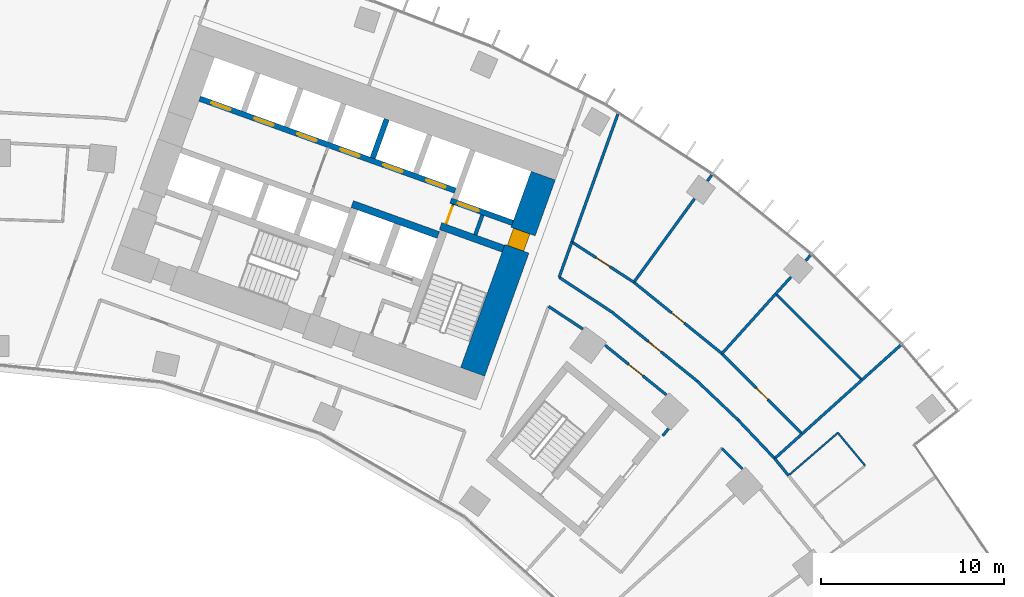
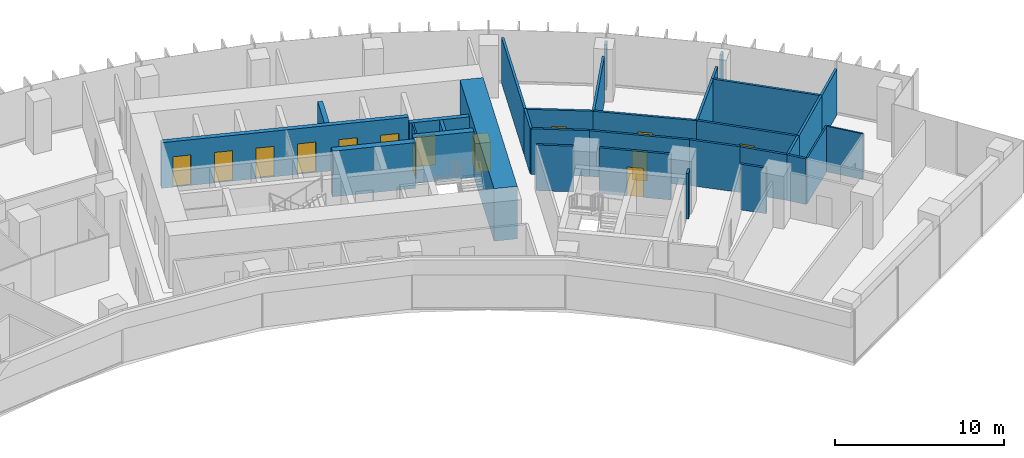
# One storey, part 19 of 22: 33 walls, 14 doors, 14 openings.
"""IFC4 building model written with IfcOpenShell, lengths in metres."""

from ifc_helpers import new_model, si_unit, direction, frame, frame_2d, origin, place, context, subcontext, project, spatial, rectangle, extrude, material, layer, layer_set, type_object, element, fill, save


model = new_model("IFC4")

# Units and contexts
model_context = context("Model", 3, precision=1e-05, world=origin(), true_north=direction((0.0, 1.0)))
body_context = subcontext(model_context, "Body", "Model", "MODEL_VIEW")
ifc_project = project(units=[si_unit("LENGTHUNIT", "METRE"), si_unit("AREAUNIT", "SQUARE_METRE"), si_unit("VOLUMEUNIT", "CUBIC_METRE"), si_unit("PLANEANGLEUNIT", "RADIAN"), si_unit("MASSUNIT", "GRAM", prefix="KILO")], contexts=[model_context])

# Site, building, storey
site_placement = place(None, origin())
site = spatial("IfcSite", under=ifc_project, at=site_placement, CompositionType="ELEMENT")
building_placement = place(site_placement, origin())
building = spatial("IfcBuilding", under=site, at=building_placement, Name="Stone Belt Terrace Tower", CompositionType="ELEMENT")
storey_placement = place(building_placement, frame((0.0, 0.0, 132.60009765625)))
storey = spatial("IfcBuildingStorey", under=building, at=storey_placement, Name="L32", CompositionType="ELEMENT", Elevation=132.60009765625)

# Wall, opening, door
ifc_material_1 = material(Name="Plasterboard partition")
ifc_layer_1 = layer(ifc_material_1, 0.10009765625)
ifc_layer_set_1 = layer_set([ifc_layer_1], Name="Core partition 100")
wall_type_1 = type_object("IfcWallType", Name="Core partition 100", PredefinedType="PARTITIONING", material=ifc_layer_set_1)
wall_1_placement = place(storey_placement, frame((24.555908203125, 51.10400390625, 0.0), z_axis=(0.0, 0.0, 1.0), x_axis=(0.338621735342, 0.94092258999, 0.0)))
wall_1 = element("IfcWall", 1, at=wall_1_placement, inside=storey, type_object=wall_type_1, Name="Core B wall", PredefinedType="PARTITIONING", context=body_context, shape_type="SweptSolid", body=[
    extrude(rectangle(XDim=1.14990234375, YDim=0.10009765625, at=frame_2d((0.574951171875, 0.0))), origin(), (0.0, 0.0, 1.0), 3.2998046875),
])
opening_1_placement = place(wall_1_placement, frame((0.050048828125, 0.0, 0.0)))
opening_1 = element("IfcOpeningElement", 2, at=opening_1_placement, cuts=wall_1, Name="Opening L32-C13", PredefinedType="OPENING", context=body_context, shape_type="SweptSolid", body=[
    extrude(rectangle(XDim=1.0, YDim=2.10009765625, at=frame_2d((0.5, 1.050048828125))), frame((0.0, 0.06005859375, 0.0), z_axis=(0.0, -1.0, 0.0), x_axis=(1.0, 0.0, 0.0)), (0.0, 0.0, 1.0), 0.1201171875),
])
ifc_material_2 = material(Name="Timber door leaf", Category="wood")
door_type_1 = type_object("IfcDoorType", Name="Core room door 1000", OperationType="SINGLE_SWING_LEFT", PredefinedType="DOOR", material=ifc_material_2)
door_1_placement = place(opening_1_placement, origin())
door_1 = element("IfcDoor", 3, at=door_1_placement, inside=storey, type_object=door_type_1, Name="Service lift lobby door core B", OperationType="SINGLE_SWING_LEFT", OverallHeight=2.10009765625, OverallWidth=1.0, PredefinedType="DOOR", context=body_context, shape_type="SweptSolid", body=[
    extrude(rectangle(XDim=1.0, YDim=2.10009765625, at=frame_2d((0.5, 1.050048828125))), frame((0.0, 0.02490234375, 0.0), z_axis=(0.0, -1.0, 0.0), x_axis=(1.0, 0.0, 0.0)), (0.0, 0.0, 1.0), 0.050048828125),
])
fill(opening_1, door_1)

ifc_material_3 = material(Name="Concrete B80", Category="concrete")
ifc_layer_2 = layer(ifc_material_3, 1.39990234375)
ifc_layer_set_2 = layer_set([ifc_layer_2], Name="Core wall 1400 B80")
wall_type_2 = type_object("IfcWallType", Name="Core wall 1400 B80", PredefinedType="SHEAR", material=ifc_layer_set_2)
wall_2_placement = place(storey_placement, frame((26.00927734375, 43.03515625, 0.0), z_axis=(0.0, 0.0, 1.0), x_axis=(0.338625431531, 0.940921259788, 0.0)))
wall_2 = element("IfcWall", 4, at=wall_2_placement, inside=storey, type_object=wall_type_2, Name="Core B wall end_b L32", PredefinedType="SHEAR", context=body_context, shape_type="SweptSolid", body=[
    extrude(rectangle(XDim=11.400146484375, YDim=1.39990234375, at=frame_2d((5.7001953125, 0.0))), origin(), (0.0, 0.0, 1.0), 3.7998046875),
])
opening_2_placement = place(wall_2_placement, frame((7.14990234375, 0.0, 0.0)))
opening_2 = element("IfcOpeningElement", 5, at=opening_2_placement, cuts=wall_2, Name="Opening L32-C12", PredefinedType="OPENING", context=body_context, shape_type="SweptSolid", body=[
    extrude(rectangle(XDim=1.0, YDim=2.10009765625, at=frame_2d((0.5, 1.050048828125))), frame((0.0, 0.7099609375, 0.0), z_axis=(0.0, -1.0, 0.0), x_axis=(1.0, 0.0, 0.0)), (0.0, 0.0, 1.0), 1.419921875),
])
door_2_placement = place(opening_2_placement, origin())
door_2 = element("IfcDoor", 6, at=door_2_placement, inside=storey, type_object=door_type_1, Name="Door to Telecommunications riser room core B", OperationType="SINGLE_SWING_RIGHT", OverallHeight=2.10009765625, OverallWidth=1.0, PredefinedType="DOOR", context=body_context, shape_type="SweptSolid", body=[
    extrude(rectangle(XDim=1.0, YDim=2.10009765625, at=frame_2d((0.5, 1.050048828125))), frame((0.0, 0.55517578125, 0.0), z_axis=(0.0, -1.0, 0.0), x_axis=(1.0, 0.0, 0.0)), (0.0, 0.0, 1.0), 0.949951171875),
])
fill(opening_2, door_2)

# Wall
ifc_layer_3 = layer(ifc_material_3, 0.39990234375)
ifc_layer_set_3 = layer_set([ifc_layer_3], Name="Fire-fighting lift shaft wall 400")
wall_type_3 = type_object("IfcWallType", Name="Fire-fighting lift shaft wall 400", PredefinedType="SHEAR", material=ifc_layer_set_3)
wall_3_placement = place(storey_placement, frame((24.130615234375, 50.512939453125, 0.0), z_axis=(0.0, 0.0, 1.0), x_axis=(-0.94091168377, 0.338652038744, 0.0)))
element("IfcWall", 7, at=wall_3_placement, inside=storey, type_object=wall_type_3, Name="Core B wall", PredefinedType="SHEAR", context=body_context, shape_type="SweptSolid", body=[
    extrude(rectangle(XDim=5.000244140625, YDim=0.39990234375, at=frame_2d((2.5, 0.0))), origin(), (0.0, 0.0, 1.0), 3.2998046875),
])

# Wall, opening, door
ifc_layer_4 = layer(ifc_material_3, 0.300048828125)
ifc_layer_set_4 = layer_set([ifc_layer_4], Name="Lift shaft wall 300")
wall_type_4 = type_object("IfcWallType", Name="Lift shaft wall 300", PredefinedType="SHEAR", material=ifc_layer_set_4)
wall_4_placement = place(storey_placement, frame((28.195068359375, 51.17578125, 0.0), z_axis=(0.0, 0.0, 1.0), x_axis=(-0.940901243567, 0.338681044427, 0.0)))
wall_4 = element("IfcWall", 8, at=wall_4_placement, inside=storey, type_object=wall_type_4, Name="Core B wall", PredefinedType="SHEAR", context=body_context, shape_type="SweptSolid", body=[
    extrude(rectangle(XDim=3.599853515625, YDim=0.300048828125, at=frame_2d((1.7998046875, 0.0))), origin(), (0.0, 0.0, 1.0), 3.2998046875),
])
opening_3_placement = place(wall_4_placement, frame((1.969970703125, 0.0, 0.0)))
opening_3 = element("IfcOpeningElement", 9, at=opening_3_placement, cuts=wall_4, Name="Opening L32-LD18", PredefinedType="OPENING", context=body_context, shape_type="SweptSolid", body=[
    extrude(rectangle(XDim=1.199951171875, YDim=2.199951171875, at=frame_2d((0.60009765625, 1.10009765625))), frame((0.0, 0.159912109375, 0.0), z_axis=(0.0, -1.0, 0.0), x_axis=(1.0, 0.0, 0.0)), (0.0, 0.0, 1.0), 0.320068359375),
])
ifc_material_4 = material(Name="Stainless steel door leaf", Category="steel")
door_type_2 = type_object("IfcDoorType", Name="Landing door 1200", OperationType="SLIDING_TO_LEFT", PredefinedType="DOOR", material=ifc_material_4)
door_3_placement = place(opening_3_placement, origin())
door_3 = element("IfcDoor", 10, at=door_3_placement, inside=storey, type_object=door_type_2, Name="Landing door SV1 core B", OperationType="SLIDING_TO_LEFT", OverallHeight=2.199951171875, OverallWidth=1.199951171875, PredefinedType="DOOR", context=body_context, shape_type="SweptSolid", body=[
    extrude(rectangle(XDim=1.199951171875, YDim=2.199951171875, at=frame_2d((0.60009765625, 1.10009765625))), frame((0.0, 0.02490234375, 0.0), z_axis=(0.0, -1.0, 0.0), x_axis=(1.0, 0.0, 0.0)), (0.0, 0.0, 1.0), 0.050048828125),
])
fill(opening_3, door_3)

# Wall, openings, doors
wall_5_placement = place(storey_placement, frame((25.05810546875, 52.9423828125, 0.0), z_axis=(0.0, 0.0, 1.0), x_axis=(-0.940918215764, 0.338633889685, 0.0)))
wall_5 = element("IfcWall", 11, at=wall_5_placement, inside=storey, type_object=wall_type_4, Name="Core B wall", PredefinedType="SHEAR", context=body_context, shape_type="SweptSolid", body=[
    extrude(rectangle(XDim=14.850341796875, YDim=0.300048828125, at=frame_2d((7.42529296875, 0.0))), origin(), (0.0, 0.0, 1.0), 3.2998046875),
])
opening_4_placement = place(wall_5_placement, frame((0.570068359375, 0.0, 0.0)))
opening_4 = element("IfcOpeningElement", 12, at=opening_4_placement, cuts=wall_5, Name="Opening L32-LD10", PredefinedType="OPENING", context=body_context, shape_type="SweptSolid", body=[
    extrude(rectangle(XDim=1.10009765625, YDim=2.199951171875, at=frame_2d((0.550048828125, 1.10009765625))), frame((0.0, 0.159912109375, 0.0), z_axis=(0.0, -1.0, 0.0), x_axis=(1.0, 0.0, 0.0)), (0.0, 0.0, 1.0), 0.320068359375),
])
opening_5_placement = place(wall_5_placement, frame((3.070068359375, 0.0, 0.0)))
opening_5 = element("IfcOpeningElement", 13, at=opening_5_placement, cuts=wall_5, Name="Opening L32-LD11", PredefinedType="OPENING", context=body_context, shape_type="SweptSolid", body=[
    extrude(rectangle(XDim=1.10009765625, YDim=2.199951171875, at=frame_2d((0.550048828125, 1.10009765625))), frame((0.0, 0.159912109375, 0.0), z_axis=(0.0, -1.0, 0.0), x_axis=(1.0, 0.0, 0.0)), (0.0, 0.0, 1.0), 0.320068359375),
])
opening_6_placement = place(wall_5_placement, frame((5.570068359375, 0.0, 0.0)))
opening_6 = element("IfcOpeningElement", 14, at=opening_6_placement, cuts=wall_5, Name="Opening L32-LD12", PredefinedType="OPENING", context=body_context, shape_type="SweptSolid", body=[
    extrude(rectangle(XDim=1.10009765625, YDim=2.199951171875, at=frame_2d((0.550048828125, 1.10009765625))), frame((0.0, 0.159912109375, 0.0), z_axis=(0.0, -1.0, 0.0), x_axis=(1.0, 0.0, 0.0)), (0.0, 0.0, 1.0), 0.320068359375),
])
opening_7_placement = place(wall_5_placement, frame((8.070068359375, 0.0, 0.0)))
opening_7 = element("IfcOpeningElement", 15, at=opening_7_placement, cuts=wall_5, Name="Opening L32-LD13", PredefinedType="OPENING", context=body_context, shape_type="SweptSolid", body=[
    extrude(rectangle(XDim=1.10009765625, YDim=2.199951171875, at=frame_2d((0.550048828125, 1.10009765625))), frame((0.0, 0.159912109375, 0.0), z_axis=(0.0, -1.0, 0.0), x_axis=(1.0, 0.0, 0.0)), (0.0, 0.0, 1.0), 0.320068359375),
])
opening_8_placement = place(wall_5_placement, frame((10.570068359375, 0.0, 0.0)))
opening_8 = element("IfcOpeningElement", 16, at=opening_8_placement, cuts=wall_5, Name="Opening L32-LD14", PredefinedType="OPENING", context=body_context, shape_type="SweptSolid", body=[
    extrude(rectangle(XDim=1.10009765625, YDim=2.199951171875, at=frame_2d((0.550048828125, 1.10009765625))), frame((0.0, 0.159912109375, 0.0), z_axis=(0.0, -1.0, 0.0), x_axis=(1.0, 0.0, 0.0)), (0.0, 0.0, 1.0), 0.320068359375),
])
opening_9_placement = place(wall_5_placement, frame((13.070068359375, 0.0, 0.0)))
opening_9 = element("IfcOpeningElement", 17, at=opening_9_placement, cuts=wall_5, Name="Opening L32-LD15", PredefinedType="OPENING", context=body_context, shape_type="SweptSolid", body=[
    extrude(rectangle(XDim=1.10009765625, YDim=2.199951171875, at=frame_2d((0.550048828125, 1.10009765625))), frame((0.0, 0.159912109375, 0.0), z_axis=(0.0, -1.0, 0.0), x_axis=(1.0, 0.0, 0.0)), (0.0, 0.0, 1.0), 0.320068359375),
])
door_type_3 = type_object("IfcDoorType", Name="Landing door 1100", OperationType="SLIDING_TO_LEFT", PredefinedType="DOOR", material=ifc_material_4)
door_4_placement = place(opening_4_placement, origin())
door_4 = element("IfcDoor", 18, at=door_4_placement, inside=storey, type_object=door_type_3, Name="Landing door LR1 core B", OperationType="SLIDING_TO_LEFT", OverallHeight=2.199951171875, OverallWidth=1.10009765625, PredefinedType="DOOR", context=body_context, shape_type="SweptSolid", body=[
    extrude(rectangle(XDim=1.10009765625, YDim=2.199951171875, at=frame_2d((0.550048828125, 1.10009765625))), frame((0.0, 0.02490234375, 0.0), z_axis=(0.0, -1.0, 0.0), x_axis=(1.0, 0.0, 0.0)), (0.0, 0.0, 1.0), 0.050048828125),
])
fill(opening_4, door_4)
door_5_placement = place(opening_5_placement, origin())
door_5 = element("IfcDoor", 19, at=door_5_placement, inside=storey, type_object=door_type_3, Name="Landing door LR2 core B", OperationType="SLIDING_TO_LEFT", OverallHeight=2.199951171875, OverallWidth=1.10009765625, PredefinedType="DOOR", context=body_context, shape_type="SweptSolid", body=[
    extrude(rectangle(XDim=1.10009765625, YDim=2.199951171875, at=frame_2d((0.550048828125, 1.10009765625))), frame((0.0, 0.02490234375, 0.0), z_axis=(0.0, -1.0, 0.0), x_axis=(1.0, 0.0, 0.0)), (0.0, 0.0, 1.0), 0.050048828125),
])
fill(opening_5, door_5)
door_6_placement = place(opening_6_placement, origin())
door_6 = element("IfcDoor", 20, at=door_6_placement, inside=storey, type_object=door_type_3, Name="Landing door LR3 core B", OperationType="SLIDING_TO_LEFT", OverallHeight=2.199951171875, OverallWidth=1.10009765625, PredefinedType="DOOR", context=body_context, shape_type="SweptSolid", body=[
    extrude(rectangle(XDim=1.10009765625, YDim=2.199951171875, at=frame_2d((0.550048828125, 1.10009765625))), frame((0.0, 0.02490234375, 0.0), z_axis=(0.0, -1.0, 0.0), x_axis=(1.0, 0.0, 0.0)), (0.0, 0.0, 1.0), 0.050048828125),
])
fill(opening_6, door_6)
door_7_placement = place(opening_7_placement, origin())
door_7 = element("IfcDoor", 21, at=door_7_placement, inside=storey, type_object=door_type_3, Name="Landing door LR4 core B", OperationType="SLIDING_TO_LEFT", OverallHeight=2.199951171875, OverallWidth=1.10009765625, PredefinedType="DOOR", context=body_context, shape_type="SweptSolid", body=[
    extrude(rectangle(XDim=1.10009765625, YDim=2.199951171875, at=frame_2d((0.550048828125, 1.10009765625))), frame((0.0, 0.02490234375, 0.0), z_axis=(0.0, -1.0, 0.0), x_axis=(1.0, 0.0, 0.0)), (0.0, 0.0, 1.0), 0.050048828125),
])
fill(opening_7, door_7)
door_8_placement = place(opening_8_placement, origin())
door_8 = element("IfcDoor", 22, at=door_8_placement, inside=storey, type_object=door_type_3, Name="Landing door LR5 core B", OperationType="SLIDING_TO_LEFT", OverallHeight=2.199951171875, OverallWidth=1.10009765625, PredefinedType="DOOR", context=body_context, shape_type="SweptSolid", body=[
    extrude(rectangle(XDim=1.10009765625, YDim=2.199951171875, at=frame_2d((0.550048828125, 1.10009765625))), frame((0.0, 0.02490234375, 0.0), z_axis=(0.0, -1.0, 0.0), x_axis=(1.0, 0.0, 0.0)), (0.0, 0.0, 1.0), 0.050048828125),
])
fill(opening_8, door_8)
door_9_placement = place(opening_9_placement, origin())
door_9 = element("IfcDoor", 23, at=door_9_placement, inside=storey, type_object=door_type_3, Name="Landing door LR6 core B", OperationType="SLIDING_TO_LEFT", OverallHeight=2.199951171875, OverallWidth=1.10009765625, PredefinedType="DOOR", context=body_context, shape_type="SweptSolid", body=[
    extrude(rectangle(XDim=1.10009765625, YDim=2.199951171875, at=frame_2d((0.550048828125, 1.10009765625))), frame((0.0, 0.02490234375, 0.0), z_axis=(0.0, -1.0, 0.0), x_axis=(1.0, 0.0, 0.0)), (0.0, 0.0, 1.0), 0.050048828125),
])
fill(opening_9, door_9)

# Walls
wall_6_placement = place(storey_placement, frame((20.54541015625, 54.72607421875, 0.0), z_axis=(0.0, 0.0, 1.0), x_axis=(0.338569601369, 0.940941350472, 0.0)))
element("IfcWall", 24, at=wall_6_placement, inside=storey, type_object=wall_type_4, Name="Core B wall", PredefinedType="SHEAR", context=body_context, shape_type="SweptSolid", body=[
    extrude(rectangle(XDim=2.249755859375, YDim=0.300048828125, at=frame_2d((1.125, 0.0))), origin(), (0.0, 0.0, 1.0), 3.2998046875),
])
ifc_material_5 = material(Name="Gypsum board partition")
ifc_layer_5 = layer(ifc_material_5, 0.10009765625)
ifc_layer_set_5 = layer_set([ifc_layer_5], Name="PARTITION 100")
wall_type_5 = type_object("IfcWallType", Name="PARTITION 100", PredefinedType="PARTITIONING", material=ifc_layer_set_5)
wall_7_placement = place(storey_placement, frame((47.469970703125, 37.904052734375, 0.0), z_axis=(0.0, 0.0, 1.0), x_axis=(-0.638843176943, 0.76933698421, 0.0)))
element("IfcWall", 25, at=wall_7_placement, inside=storey, type_object=wall_type_5, Name="L32/wall/i075", PredefinedType="PARTITIONING", context=body_context, shape_type="SweptSolid", body=[
    extrude(rectangle(XDim=2.329345703125, YDim=0.10009765625, at=frame_2d((1.16455078125, 0.0))), origin(), (0.0, 0.0, 1.0), 3.2998046875),
])
wall_8_placement = place(storey_placement, frame((45.98193359375, 39.696044921875, 0.0), z_axis=(0.0, 0.0, 1.0), x_axis=(-0.756984357141, -0.653432998128, 0.0)))
element("IfcWall", 26, at=wall_8_placement, inside=storey, type_object=wall_type_5, Name="L32/wall/i076", PredefinedType="PARTITIONING", context=body_context, shape_type="SweptSolid", body=[
    extrude(rectangle(XDim=3.57177734375, YDim=0.10009765625, at=frame_2d((1.785888671875, 0.0))), origin(), (0.0, 0.0, 1.0), 3.2998046875),
])
ifc_layer_6 = layer(ifc_material_5, 0.14990234375)
ifc_layer_set_6 = layer_set([ifc_layer_6], Name="PARTITION 150 EI 60")
wall_type_6 = type_object("IfcWallType", Name="PARTITION 150 EI 60", PredefinedType="PARTITIONING", material=ifc_layer_set_6)
wall_9_placement = place(storey_placement, frame((31.43603515625, 50.139892578125, 0.0), z_axis=(0.0, 0.0, 1.0), x_axis=(-0.338522672426, -0.940958235127, 0.0)))
element("IfcWall", 27, at=wall_9_placement, inside=storey, type_object=wall_type_6, Name="L32/wall/i026", PredefinedType="PARTITIONING", context=body_context, shape_type="SweptSolid", body=[
    extrude(rectangle(XDim=2.064697265625, YDim=0.14990234375, at=frame_2d((1.0322265625, 0.0))), origin(), (0.0, 0.0, 1.0), 3.2998046875),
])
wall_10_placement = place(storey_placement, frame((33.951904296875, 57.131103515625, 0.0), z_axis=(0.0, 0.0, 1.0), x_axis=(-0.338585885873, -0.940935490822, 0.0)))
element("IfcWall", 28, at=wall_10_placement, inside=storey, type_object=wall_type_6, Name="L32/wall/i027", PredefinedType="PARTITIONING", context=body_context, shape_type="SweptSolid", body=[
    extrude(rectangle(XDim=7.44287109375, YDim=0.14990234375, at=frame_2d((3.721435546875, 0.0))), origin(), (0.0, 0.0, 1.0), 3.2998046875),
])

# Wall, opening, door
wall_11_placement = place(storey_placement, frame((36.599365234375, 41.77587890625, 0.0), z_axis=(0.0, 0.0, 1.0), x_axis=(-0.777153738144, 0.62931078752, 0.0)))
wall_11 = element("IfcWall", 29, at=wall_11_placement, inside=storey, type_object=wall_type_6, Name="L32/wall/i047", PredefinedType="PARTITIONING", context=body_context, shape_type="SweptSolid", body=[
    extrude(rectangle(XDim=4.30517578125, YDim=0.14990234375, at=frame_2d((2.152587890625, 0.0))), origin(), (0.0, 0.0, 1.0), 3.2998046875),
])
opening_10_placement = place(wall_11_placement, frame((1.652587890625, 0.0, 0.0)))
opening_10 = element("IfcOpeningElement", 30, at=opening_10_placement, cuts=wall_11, Name="Opening D-B5-17", PredefinedType="OPENING", context=body_context, shape_type="SweptSolid", body=[
    extrude(rectangle(XDim=1.0, YDim=2.10009765625, at=frame_2d((0.5, 1.050048828125))), frame((0.0, 0.0849609375, 0.0), z_axis=(0.0, -1.0, 0.0), x_axis=(1.0, 0.0, 0.0)), (0.0, 0.0, 1.0), 0.169921875),
])
ifc_material_6 = material(Name="Timber fire door leaf", Category="wood")
door_type_4 = type_object("IfcDoorType", Name="TENANCY ENTRANCE DOOR 1000 X 2100", OperationType="NOTDEFINED", PredefinedType="DOOR", material=ifc_material_6)
door_10_placement = place(opening_10_placement, origin())
door_10 = element("IfcDoor", 31, at=door_10_placement, inside=storey, type_object=door_type_4, Name="L32/door/i17", OperationType="SINGLE_SWING_RIGHT", OverallHeight=2.10009765625, OverallWidth=1.0, PredefinedType="DOOR", context=body_context, shape_type="SweptSolid", body=[
    extrude(rectangle(XDim=1.0, YDim=2.10009765625, at=frame_2d((0.5, 1.050048828125))), frame((0.0, 0.02490234375, 0.0), z_axis=(0.0, -1.0, 0.0), x_axis=(1.0, 0.0, 0.0)), (0.0, 0.0, 1.0), 0.050048828125),
])
fill(opening_10, door_10)

# Walls
wall_12_placement = place(storey_placement, frame((32.03466796875, 45.37646484375, 0.0), z_axis=(0.0, 0.0, 1.0), x_axis=(-0.835456606052, 0.549556420583, 0.0)))
element("IfcWall", 32, at=wall_12_placement, inside=storey, type_object=wall_type_6, Name="L32/wall/i048", PredefinedType="PARTITIONING", context=body_context, shape_type="SweptSolid", body=[
    extrude(rectangle(XDim=2.239013671875, YDim=0.14990234375, at=frame_2d((1.11962890625, 0.0))), origin(), (0.0, 0.0, 1.0), 3.2998046875),
])
wall_13_placement = place(storey_placement, frame((30.739013671875, 48.202880859375, 0.0), z_axis=(0.0, 0.0, 1.0), x_axis=(0.835274160171, -0.549833681535, 0.0)))
element("IfcWall", 33, at=wall_13_placement, inside=storey, type_object=wall_type_6, Name="L32/wall/i049", PredefinedType="PARTITIONING", context=body_context, shape_type="SweptSolid", body=[
    extrude(rectangle(XDim=3.46826171875, YDim=0.14990234375, at=frame_2d((1.734130859375, 0.0))), origin(), (0.0, 0.0, 1.0), 3.2998046875),
])

# Wall, opening, door
wall_14_placement = place(storey_placement, frame((33.635986328125, 46.2958984375, 0.0), z_axis=(0.0, 0.0, 1.0), x_axis=(0.777109127033, -0.629365875054, 0.0)))
wall_14 = element("IfcWall", 34, at=wall_14_placement, inside=storey, type_object=wall_type_6, Name="L32/wall/i050", PredefinedType="PARTITIONING", context=body_context, shape_type="SweptSolid", body=[
    extrude(rectangle(XDim=5.990234375, YDim=0.14990234375, at=frame_2d((2.9951171875, 0.0))), origin(), (0.0, 0.0, 1.0), 3.2998046875),
])
opening_11_placement = place(wall_14_placement, frame((2.545166015625, 0.0, 0.0)))
opening_11 = element("IfcOpeningElement", 35, at=opening_11_placement, cuts=wall_14, Name="Opening D-B5-20", PredefinedType="OPENING", context=body_context, shape_type="SweptSolid", body=[
    extrude(rectangle(XDim=0.89990234375, YDim=2.10009765625, at=frame_2d((0.449951171875, 1.050048828125))), frame((0.0, 0.0849609375, 0.0), z_axis=(0.0, -1.0, 0.0), x_axis=(1.0, 0.0, 0.0)), (0.0, 0.0, 1.0), 0.169921875),
])
door_type_5 = type_object("IfcDoorType", Name="OFFICE DOOR 900 X 2100", OperationType="NOTDEFINED", PredefinedType="DOOR", material=ifc_material_2)
door_11_placement = place(opening_11_placement, origin())
door_11 = element("IfcDoor", 36, at=door_11_placement, inside=storey, type_object=door_type_5, Name="L32/door/i20", OperationType="SINGLE_SWING_RIGHT", OverallHeight=2.10009765625, OverallWidth=0.89990234375, PredefinedType="DOOR", context=body_context, shape_type="SweptSolid", body=[
    extrude(rectangle(XDim=0.89990234375, YDim=2.10009765625, at=frame_2d((0.449951171875, 1.050048828125))), frame((0.0, 0.02490234375, 0.0), z_axis=(0.0, -1.0, 0.0), x_axis=(1.0, 0.0, 0.0)), (0.0, 0.0, 1.0), 0.050048828125),
])
fill(opening_11, door_11)

# Walls
wall_15_placement = place(storey_placement, frame((38.291015625, 42.52587890625, 0.0), z_axis=(0.0, 0.0, 1.0), x_axis=(0.724835843729, -0.688921620829, 0.0)))
element("IfcWall", 37, at=wall_15_placement, inside=storey, type_object=wall_type_6, Name="L32/wall/i051", PredefinedType="PARTITIONING", context=body_context, shape_type="SweptSolid", body=[
    extrude(rectangle(XDim=3.093017578125, YDim=0.14990234375, at=frame_2d((1.54638671875, 0.0))), origin(), (0.0, 0.0, 1.0), 3.2998046875),
])
wall_16_placement = place(storey_placement, frame((40.765625, 37.721435546875, 0.0), z_axis=(0.0, 0.0, 1.0), x_axis=(-0.707106781187, 0.707106781187, 0.0)))
element("IfcWall", 38, at=wall_16_placement, inside=storey, type_object=wall_type_6, Name="L32/wall/i052", PredefinedType="PARTITIONING", context=body_context, shape_type="SweptSolid", body=[
    extrude(rectangle(XDim=1.587646484375, YDim=0.14990234375, at=frame_2d((0.7939453125, 0.0))), origin(), (0.0, 0.0, 1.0), 3.2998046875),
])
wall_17_placement = place(storey_placement, frame((40.532958984375, 40.39501953125, 0.0), z_axis=(0.0, 0.0, 1.0), x_axis=(0.687681554755, -0.726012451167, 0.0)))
element("IfcWall", 39, at=wall_17_placement, inside=storey, type_object=wall_type_6, Name="L32/wall/i054", PredefinedType="PARTITIONING", context=body_context, shape_type="SweptSolid", body=[
    extrude(rectangle(XDim=2.89794921875, YDim=0.14990234375, at=frame_2d((1.448974609375, 0.0))), origin(), (0.0, 0.0, 1.0), 3.2998046875),
])
wall_18_placement = place(storey_placement, frame((42.527099609375, 38.2900390625, 0.0), z_axis=(0.0, 0.0, 1.0), x_axis=(0.628952429946, -0.777443786305, 0.0)))
element("IfcWall", 40, at=wall_18_placement, inside=storey, type_object=wall_type_6, Name="L32/wall/i055", PredefinedType="PARTITIONING", context=body_context, shape_type="SweptSolid", body=[
    extrude(rectangle(XDim=1.2001953125, YDim=0.14990234375, at=frame_2d((0.60009765625, 0.0))), origin(), (0.0, 0.0, 1.0), 3.2998046875),
])
wall_19_placement = place(storey_placement, frame((36.406005859375, 39.537109375, 0.0), z_axis=(0.0, 0.0, 1.0), x_axis=(0.630355285391, 0.776306778393, 0.0)))
element("IfcWall", 41, at=wall_19_placement, inside=storey, type_object=wall_type_6, Name="L32/wall/i058", PredefinedType="PARTITIONING", context=body_context, shape_type="SweptSolid", body=[
    extrude(rectangle(XDim=0.50341796875, YDim=0.14990234375, at=frame_2d((0.251708984375, 0.0))), origin(), (0.0, 0.0, 1.0), 3.2998046875),
])

# Wall, opening, door
wall_20_placement = place(storey_placement, frame((31.43408203125, 50.134033203125, 0.0), z_axis=(0.0, 0.0, 1.0), x_axis=(0.838660143757, -0.544655086521, 0.0)))
wall_20 = element("IfcWall", 42, at=wall_20_placement, inside=storey, type_object=wall_type_6, Name="L32/wall/i062", PredefinedType="PARTITIONING", context=body_context, shape_type="SweptSolid", body=[
    extrude(rectangle(XDim=4.043212890625, YDim=0.14990234375, at=frame_2d((2.021484375, 0.0))), origin(), (0.0, 0.0, 1.0), 3.2998046875),
])
opening_12_placement = place(wall_20_placement, frame((1.571533203125, 0.0, 0.0)))
opening_12 = element("IfcOpeningElement", 43, at=opening_12_placement, cuts=wall_20, Name="Opening D-B5-21", PredefinedType="OPENING", context=body_context, shape_type="SweptSolid", body=[
    extrude(rectangle(XDim=0.89990234375, YDim=2.10009765625, at=frame_2d((0.449951171875, 1.050048828125))), frame((0.0, 0.0849609375, 0.0), z_axis=(0.0, -1.0, 0.0), x_axis=(1.0, 0.0, 0.0)), (0.0, 0.0, 1.0), 0.169921875),
])
door_12_placement = place(opening_12_placement, origin())
door_12 = element("IfcDoor", 44, at=door_12_placement, inside=storey, type_object=door_type_5, Name="L32/door/i21", OperationType="SINGLE_SWING_RIGHT", OverallHeight=2.10009765625, OverallWidth=0.89990234375, PredefinedType="DOOR", context=body_context, shape_type="SweptSolid", body=[
    extrude(rectangle(XDim=0.89990234375, YDim=2.10009765625, at=frame_2d((0.449951171875, 1.050048828125))), frame((0.0, 0.02490234375, 0.0), z_axis=(0.0, -1.0, 0.0), x_axis=(1.0, 0.0, 0.0)), (0.0, 0.0, 1.0), 0.050048828125),
])
fill(opening_12, door_12)

wall_21_placement = place(storey_placement, frame((34.824951171875, 47.931884765625, 0.0), z_axis=(0.0, 0.0, 1.0), x_axis=(0.777190769916, -0.629265053184, 0.0)))
wall_21 = element("IfcWall", 45, at=wall_21_placement, inside=storey, type_object=wall_type_6, Name="L32/wall/i063", PredefinedType="PARTITIONING", context=body_context, shape_type="SweptSolid", body=[
    extrude(rectangle(XDim=6.20068359375, YDim=0.14990234375, at=frame_2d((3.100341796875, 0.0))), origin(), (0.0, 0.0, 1.0), 3.2998046875),
])
opening_13_placement = place(wall_21_placement, frame((2.650390625, 0.0, 0.0)))
opening_13 = element("IfcOpeningElement", 46, at=opening_13_placement, cuts=wall_21, Name="Opening D-B5-22", PredefinedType="OPENING", context=body_context, shape_type="SweptSolid", body=[
    extrude(rectangle(XDim=0.89990234375, YDim=2.10009765625, at=frame_2d((0.449951171875, 1.050048828125))), frame((0.0, 0.0849609375, 0.0), z_axis=(0.0, -1.0, 0.0), x_axis=(1.0, 0.0, 0.0)), (0.0, 0.0, 1.0), 0.169921875),
])
door_13_placement = place(opening_13_placement, origin())
door_13 = element("IfcDoor", 47, at=door_13_placement, inside=storey, type_object=door_type_5, Name="L32/door/i22", OperationType="SINGLE_SWING_RIGHT", OverallHeight=2.10009765625, OverallWidth=0.89990234375, PredefinedType="DOOR", context=body_context, shape_type="SweptSolid", body=[
    extrude(rectangle(XDim=0.89990234375, YDim=2.10009765625, at=frame_2d((0.449951171875, 1.050048828125))), frame((0.0, 0.02490234375, 0.0), z_axis=(0.0, -1.0, 0.0), x_axis=(1.0, 0.0, 0.0)), (0.0, 0.0, 1.0), 0.050048828125),
])
fill(opening_13, door_13)

wall_22_placement = place(storey_placement, frame((39.639892578125, 44.033935546875, 0.0), z_axis=(0.0, 0.0, 1.0), x_axis=(0.707126447351, -0.707087114475, 0.0)))
wall_22 = element("IfcWall", 48, at=wall_22_placement, inside=storey, type_object=wall_type_6, Name="L32/wall/i064", PredefinedType="PARTITIONING", context=body_context, shape_type="SweptSolid", body=[
    extrude(rectangle(XDim=6.20703125, YDim=0.14990234375, at=frame_2d((3.103515625, 0.0))), origin(), (0.0, 0.0, 1.0), 3.2998046875),
])
opening_14_placement = place(wall_22_placement, frame((2.653564453125, 0.0, 0.0)))
opening_14 = element("IfcOpeningElement", 49, at=opening_14_placement, cuts=wall_22, Name="Opening D-B5-23", PredefinedType="OPENING", context=body_context, shape_type="SweptSolid", body=[
    extrude(rectangle(XDim=0.89990234375, YDim=2.10009765625, at=frame_2d((0.449951171875, 1.050048828125))), frame((0.0, 0.0849609375, 0.0), z_axis=(0.0, -1.0, 0.0), x_axis=(1.0, 0.0, 0.0)), (0.0, 0.0, 1.0), 0.169921875),
])
door_14_placement = place(opening_14_placement, origin())
door_14 = element("IfcDoor", 50, at=door_14_placement, inside=storey, type_object=door_type_5, Name="L32/door/i23", OperationType="SINGLE_SWING_RIGHT", OverallHeight=2.10009765625, OverallWidth=0.89990234375, PredefinedType="DOOR", context=body_context, shape_type="SweptSolid", body=[
    extrude(rectangle(XDim=0.89990234375, YDim=2.10009765625, at=frame_2d((0.449951171875, 1.050048828125))), frame((0.0, 0.02490234375, 0.0), z_axis=(0.0, -1.0, 0.0), x_axis=(1.0, 0.0, 0.0)), (0.0, 0.0, 1.0), 0.050048828125),
])
fill(opening_14, door_14)

# Walls
wall_23_placement = place(storey_placement, frame((44.029052734375, 39.64501953125, 0.0), z_axis=(0.0, 0.0, 1.0), x_axis=(-0.743012054614, -0.669278033927, 0.0)))
element("IfcWall", 51, at=wall_23_placement, inside=storey, type_object=wall_type_6, Name="L32/wall/i065", PredefinedType="PARTITIONING", context=body_context, shape_type="SweptSolid", body=[
    extrude(rectangle(XDim=2.023193359375, YDim=0.14990234375, at=frame_2d((1.01171875, 0.0))), origin(), (0.0, 0.0, 1.0), 3.2998046875),
])
wall_24_placement = place(storey_placement, frame((39.087890625, 53.7998046875, 0.0), z_axis=(0.0, 0.0, 1.0), x_axis=(-0.588207421816, -0.808710101904, 0.0)))
element("IfcWall", 52, at=wall_24_placement, inside=storey, type_object=wall_type_6, Name="L32/wall/i066", PredefinedType="PARTITIONING", context=body_context, shape_type="SweptSolid", body=[
    extrude(rectangle(XDim=0.40625, YDim=0.14990234375, at=frame_2d((0.203125, 0.0))), origin(), (0.0, 0.0, 1.0), 3.2998046875),
])
wall_25_placement = place(storey_placement, frame((38.1376953125, 52.4921875, 0.0), z_axis=(0.0, 0.0, 1.0), x_axis=(-0.587726060758, -0.809059996234, 0.0)))
element("IfcWall", 53, at=wall_25_placement, inside=storey, type_object=wall_type_6, Name="L32/wall/i067", PredefinedType="PARTITIONING", context=body_context, shape_type="SweptSolid", body=[
    extrude(rectangle(XDim=5.636474609375, YDim=0.14990234375, at=frame_2d((2.818359375, 0.0))), origin(), (0.0, 0.0, 1.0), 3.2998046875),
])
wall_26_placement = place(storey_placement, frame((42.592041015625, 47.303955078125, 0.0), z_axis=(0.0, 0.0, 1.0), x_axis=(-0.669148410698, -0.743128793992, 0.0)))
element("IfcWall", 54, at=wall_26_placement, inside=storey, type_object=wall_type_6, Name="L32/wall/i068", PredefinedType="PARTITIONING", context=body_context, shape_type="SweptSolid", body=[
    extrude(rectangle(XDim=4.405517578125, YDim=0.14990234375, at=frame_2d((2.20263671875, 0.0))), origin(), (0.0, 0.0, 1.0), 3.2998046875),
])
wall_27_placement = place(storey_placement, frame((44.496826171875, 49.419189453125, 0.0), z_axis=(0.0, 0.0, 1.0), x_axis=(-0.669463057056, -0.742845350821, 0.0)))
element("IfcWall", 55, at=wall_27_placement, inside=storey, type_object=wall_type_6, Name="L32/wall/i069", PredefinedType="PARTITIONING", context=body_context, shape_type="SweptSolid", body=[
    extrude(rectangle(XDim=0.406005859375, YDim=0.14990234375, at=frame_2d((0.203125, 0.0))), origin(), (0.0, 0.0, 1.0), 3.2998046875),
])
wall_28_placement = place(storey_placement, frame((43.415283203125, 48.218505859375, 0.0), z_axis=(0.0, 0.0, 1.0), x_axis=(-0.669388214241, -0.742912793426, 0.0)))
element("IfcWall", 56, at=wall_28_placement, inside=storey, type_object=wall_type_6, Name="L32/wall/i070", PredefinedType="PARTITIONING", context=body_context, shape_type="SweptSolid", body=[
    extrude(rectangle(XDim=1.241943359375, YDim=0.14990234375, at=frame_2d((0.62109375, 0.0))), origin(), (0.0, 0.0, 1.0), 3.2998046875),
])
wall_29_placement = place(storey_placement, frame((42.587890625, 47.300048828125, 0.0), z_axis=(0.0, 0.0, 1.0), x_axis=(0.7071251031, -0.707088458798, 0.0)))
element("IfcWall", 57, at=wall_29_placement, inside=storey, type_object=wall_type_6, Name="L32/wall/i071", PredefinedType="PARTITIONING", context=body_context, shape_type="SweptSolid", body=[
    extrude(rectangle(XDim=6.662353515625, YDim=0.14990234375, at=frame_2d((3.3310546875, 0.0))), origin(), (0.0, 0.0, 1.0), 3.2998046875),
])
wall_30_placement = place(storey_placement, frame((47.299072265625, 42.589111328125, 0.0), z_axis=(0.0, 0.0, 1.0), x_axis=(-0.743172740326, -0.669099602478, 0.0)))
element("IfcWall", 58, at=wall_30_placement, inside=storey, type_object=wall_type_6, Name="L32/wall/i072", PredefinedType="PARTITIONING", context=body_context, shape_type="SweptSolid", body=[
    extrude(rectangle(XDim=4.400146484375, YDim=0.14990234375, at=frame_2d((2.2001953125, 0.0))), origin(), (0.0, 0.0, 1.0), 3.2998046875),
])
wall_31_placement = place(storey_placement, frame((49.41943359375, 44.496826171875, 0.0), z_axis=(0.0, 0.0, 1.0), x_axis=(-0.743400540609, -0.668846496755, 0.0)))
element("IfcWall", 59, at=wall_31_placement, inside=storey, type_object=wall_type_6, Name="L32/wall/i073", PredefinedType="PARTITIONING", context=body_context, shape_type="SweptSolid", body=[
    extrude(rectangle(XDim=2.852294921875, YDim=0.14990234375, at=frame_2d((1.42626953125, 0.0))), origin(), (0.0, 0.0, 1.0), 3.2998046875),
])
ifc_material_7 = material(Name="Concrete masonry block", Category="masonry")
ifc_layer_7 = layer(ifc_material_7, 0.199951171875)
ifc_layer_set_7 = layer_set([ifc_layer_7], Name="Rated lobby wall 200")
wall_type_7 = type_object("IfcWallType", Name="Rated lobby wall 200", PredefinedType="PARTITIONING", material=ifc_layer_set_7)
wall_32_placement = place(storey_placement, frame((26.1552734375, 50.5283203125, 0.0), z_axis=(0.0, 0.0, 1.0), x_axis=(0.338621735342, 0.94092258999, 0.0)))
element("IfcWall", 60, at=wall_32_placement, inside=storey, type_object=wall_type_7, Name="Core B wall", PredefinedType="PARTITIONING", context=body_context, shape_type="SweptSolid", body=[
    extrude(rectangle(XDim=1.14990234375, YDim=0.199951171875, at=frame_2d((0.574951171875, 0.0))), origin(), (0.0, 0.0, 1.0), 3.2998046875),
])
ifc_layer_8 = layer(ifc_material_3, 0.39990234375)
ifc_layer_set_8 = layer_set([ifc_layer_8], Name="Stair enclosure wall 400")
wall_type_8 = type_object("IfcWallType", Name="Stair enclosure wall 400", PredefinedType="SHEAR", material=ifc_layer_set_8)
wall_33_placement = place(storey_placement, frame((27.687255859375, 49.764404296875, 0.0), z_axis=(0.0, 0.0, 1.0), x_axis=(-0.940918954884, 0.338631835981, 0.0)))
element("IfcWall", 61, at=wall_33_placement, inside=storey, type_object=wall_type_8, Name="Core B wall", PredefinedType="SHEAR", context=body_context, shape_type="SweptSolid", body=[
    extrude(rectangle(XDim=3.650146484375, YDim=0.39990234375, at=frame_2d((1.8251953125, 0.0))), origin(), (0.0, 0.0, 1.0), 3.2998046875),
])

save(model, "model.ifc")
